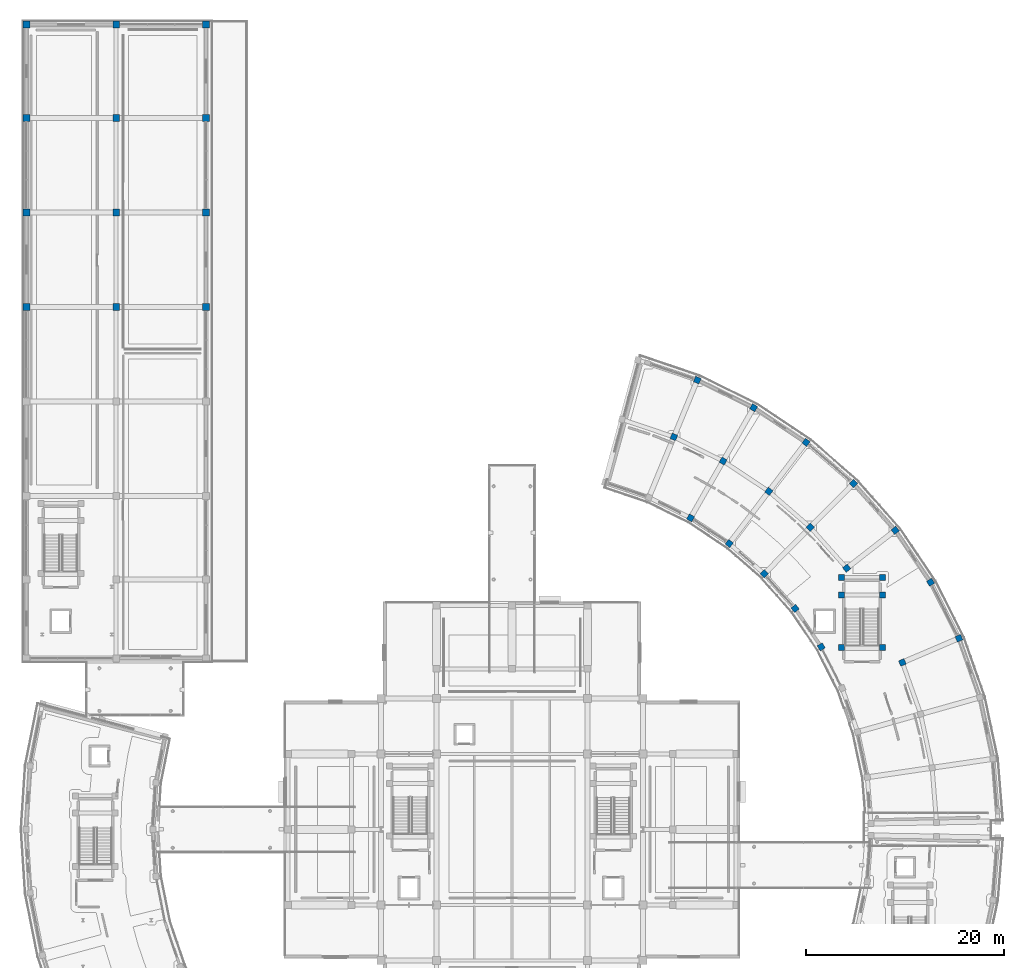
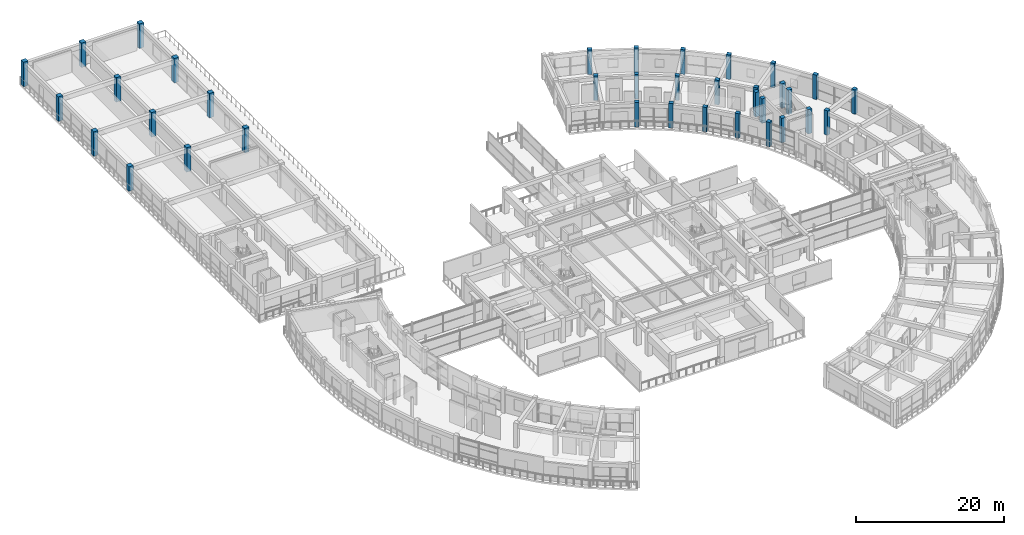
# One storey, part 11 of 70: 36 columns.
"""IFC4 building model written with IfcOpenShell, lengths in metres."""

from ifc_helpers import new_model, si_unit, direction, frame, origin, origin_2d, place, context, subcontext, project, spatial, rectangle, extrude, material, material_profile, profile_set, type_object, element, save


model = new_model("IFC4")

# Units and contexts
model_context = context("Model", 3, precision=1e-05, world=origin(), true_north=direction((0.0, 1.0)))
body_context = subcontext(model_context, "Body", "Model", "MODEL_VIEW")
ifc_project = project(units=[si_unit("LENGTHUNIT", "METRE"), si_unit("AREAUNIT", "SQUARE_METRE"), si_unit("VOLUMEUNIT", "CUBIC_METRE"), si_unit("PLANEANGLEUNIT", "RADIAN"), si_unit("MASSUNIT", "GRAM", prefix="KILO")], contexts=[model_context])

# Site, building, storey
site_placement = place(None, origin())
site = spatial("IfcSite", under=ifc_project, at=site_placement, CompositionType="ELEMENT")
building_placement = place(site_placement, origin())
building = spatial("IfcBuilding", under=site, at=building_placement, Name="Saryqyr Civic Hall", CompositionType="ELEMENT")
storey_placement = place(building_placement, frame((0.0, 0.0, 13.199951171875)))
storey = spatial("IfcBuildingStorey", under=building, at=storey_placement, Name="L03", CompositionType="ELEMENT", Elevation=13.199951171875)

# Columns
ifc_material = material(Name="Concrete C40/50", Category="concrete")
ifc_material_profile_1 = material_profile(ifc_material, rectangle(XDim=0.60009765625, YDim=0.60009765625, at=origin_2d()), Name="RC 600x600")
ifc_profile_set_1 = profile_set([ifc_material_profile_1], Name="Concrete C40/50")
column_type_1 = type_object("IfcColumnType", Name="STR-COL-RC600-C40", PredefinedType="COLUMN", material=ifc_profile_set_1)
for number, where, z_axis, x_axis, name in (
    (1, (96.349365234375, 100.836669921875, 0.0), (0.0, 0.0, 1.0), (0.919410138581, 0.393300136124, 0.0), "Column V6-COL-MID03-L03"),
    (2, (102.04931640625, 103.275634765625, 0.0), (0.0, 0.0, 1.0), (0.919410138581, 0.393300136124, 0.0), "Column V6-COL-OUT03-L03"),
    (3, (88.16845703125, 102.410888671875, 0.0), (0.0, 0.0, 1.0), (0.861008442465, 0.508590662521, 0.0), "Column V6-COL-IN04-L03"),
    (4, (99.189453125, 108.9208984375, 0.0), (0.0, 0.0, 1.0), (0.861008442465, 0.508590662521, 0.0), "Column V6-COL-OUT04-L03"),
    (5, (85.53564453125, 106.2744140625, 0.0), (0.0, 0.0, 1.0), (0.78822561199, 0.615386370179, 0.0), "Column V6-COL-IN05-L03"),
    (6, (90.73828125, 110.335693359375, 0.0), (0.0, 0.0, 1.0), (0.78822561199, 0.615386370179, 0.0), "Column V6-COL-MID05-L03"),
    (7, (95.625732421875, 114.150634765625, 0.0), (0.0, 0.0, 1.0), (0.78822561199, 0.615386370179, 0.0), "Column V6-COL-OUT05-L03"),
    (8, (82.427001953125, 109.7666015625, 0.0), (0.0, 0.0, 1.0), (0.70240155419, 0.711780904964, 0.0), "Column V6-COL-IN06-L03"),
    (9, (87.062744140625, 114.464111328125, 0.0), (0.0, 0.0, 1.0), (0.70240155419, 0.711780904964, 0.0), "Column V6-COL-MID06-L03"),
    (10, (91.417724609375, 118.877197265625, 0.0), (0.0, 0.0, 1.0), (0.70240155419, 0.711780904964, 0.0), "Column V6-COL-OUT06-L03"),
    (11, (78.89404296875, 112.82861328125, 0.0), (0.0, 0.0, 1.0), (0.60473812635, 0.796424383441, 0.0), "Column V6-COL-IN07-L03"),
    (12, (82.8857421875, 118.084716796875, 0.0), (0.0, 0.0, 1.0), (0.60473812635, 0.796424383441, 0.0), "Column V6-COL-MID07-L03"),
    (13, (86.635498046875, 123.022216796875, 0.0), (0.0, 0.0, 1.0), (0.60473812635, 0.796424383441, 0.0), "Column V6-COL-OUT07-L03"),
    (14, (74.995849609375, 115.409912109375, 0.0), (0.0, 0.0, 1.0), (0.4971254071, 0.867678701833, 0.0), "Column V6-COL-IN08-L03"),
    (15, (78.277099609375, 121.13671875, 0.0), (0.0, 0.0, 1.0), (0.4971254071, 0.867678701833, 0.0), "Column V6-COL-MID08-L03"),
    (16, (81.359130859375, 126.516357421875, 0.0), (0.0, 0.0, 1.0), (0.4971254071, 0.867678701833, 0.0), "Column V6-COL-OUT08-L03"),
    (17, (73.313232421875, 123.569091796875, 0.0), (0.0, 0.0, 1.0), (0.381231734269, 0.924479510204, 0.0), "Column V6-COL-MID09-L03"),
    (18, (75.676513671875, 129.301025390625, 0.0), (0.0, 0.0, 1.0), (0.381231734269, 0.924479510204, 0.0), "Column V6-COL-OUT09-L03"),
    (19, (94.340087890625, 102.3349609375, 0.0), (0.0, 0.0, 1.0), (1.0, 0.0, 0.0), "Column ST-6-SCOL-TRMA-L03"),
    (20, (90.219970703125, 102.3349609375, 0.0), (0.0, 0.0, 1.0), (1.0, 0.0, 0.0), "Column ST-6-SCOL-TRMB-L03"),
    (21, (94.340087890625, 107.64990234375, 0.0), (0.0, 0.0, 1.0), (1.0, 0.0, 0.0), "Column ST-6-SCOL-LND1A-L03"),
    (22, (90.219970703125, 107.64990234375, 0.0), (0.0, 0.0, 1.0), (1.0, 0.0, 0.0), "Column ST-6-SCOL-LND1B-L03"),
    (23, (94.340087890625, 109.3798828125, 0.0), (0.0, 0.0, 1.0), (1.0, 0.0, 0.0), "Column ST-6-SCOL-LND2A-L03"),
    (24, (90.219970703125, 109.3798828125, 0.0), (0.0, 0.0, 1.0), (1.0, 0.0, 0.0), "Column ST-6-SCOL-LND2B-L03"),
):
    element("IfcColumn", number, at=place(storey_placement, frame(where, z_axis=z_axis, x_axis=x_axis)), inside=storey, type_object=column_type_1, Name=name, PredefinedType="COLUMN", context=body_context, shape_type="SweptSolid", body=[
        extrude(rectangle(XDim=0.60009765625, YDim=0.60009765625, at=origin_2d()), origin(), (0.0, 0.0, 1.0), 4.050048828125),
    ])
ifc_material_profile_2 = material_profile(ifc_material, rectangle(XDim=0.699951171875, YDim=0.699951171875, at=origin_2d()), Name="RC 700x700")
ifc_profile_set_2 = profile_set([ifc_material_profile_2], Name="Concrete C40/50")
column_type_2 = type_object("IfcColumnType", Name="STR-COL-RC700-C40", PredefinedType="COLUMN", material=ifc_profile_set_2)
for number, where, z_axis, x_axis, name in (
    (25, (8.050048828125, 136.659912109375, 0.0), (0.0, 0.0, 1.0), (1.0, 0.0, 0.0), "Column V3-COL-15-L03"),
    (26, (8.050048828125, 146.18994140625, 0.0), (0.0, 0.0, 1.0), (1.0, 0.0, 0.0), "Column V3-COL-16-L03"),
    (27, (8.050048828125, 155.719970703125, 0.0), (0.0, 0.0, 1.0), (1.0, 0.0, 0.0), "Column V3-COL-17-L03"),
    (28, (8.050048828125, 165.14990234375, 0.0), (0.0, 0.0, 1.0), (1.0, 0.0, 0.0), "Column V3-COL-18-L03"),
    (29, (17.10009765625, 136.659912109375, 0.0), (0.0, 0.0, 1.0), (1.0, 0.0, 0.0), "Column V3-COL-25-L03"),
    (30, (17.10009765625, 146.18994140625, 0.0), (0.0, 0.0, 1.0), (1.0, 0.0, 0.0), "Column V3-COL-26-L03"),
    (31, (17.10009765625, 155.719970703125, 0.0), (0.0, 0.0, 1.0), (1.0, 0.0, 0.0), "Column V3-COL-27-L03"),
    (32, (17.10009765625, 165.14990234375, 0.0), (0.0, 0.0, 1.0), (1.0, 0.0, 0.0), "Column V3-COL-28-L03"),
    (33, (26.14990234375, 136.659912109375, 0.0), (0.0, 0.0, 1.0), (1.0, 0.0, 0.0), "Column V3-COL-35-L03"),
    (34, (26.14990234375, 146.18994140625, 0.0), (0.0, 0.0, 1.0), (1.0, 0.0, 0.0), "Column V3-COL-36-L03"),
    (35, (26.14990234375, 155.719970703125, 0.0), (0.0, 0.0, 1.0), (1.0, 0.0, 0.0), "Column V3-COL-37-L03"),
    (36, (26.14990234375, 165.14990234375, 0.0), (0.0, 0.0, 1.0), (1.0, 0.0, 0.0), "Column V3-COL-38-L03"),
):
    element("IfcColumn", number, at=place(storey_placement, frame(where, z_axis=z_axis, x_axis=x_axis)), inside=storey, type_object=column_type_2, Name=name, PredefinedType="COLUMN", context=body_context, shape_type="SweptSolid", body=[
        extrude(rectangle(XDim=0.699951171875, YDim=0.699951171875, at=origin_2d()), origin(), (0.0, 0.0, 1.0), 4.050048828125),
    ])

save(model, "model.ifc")
